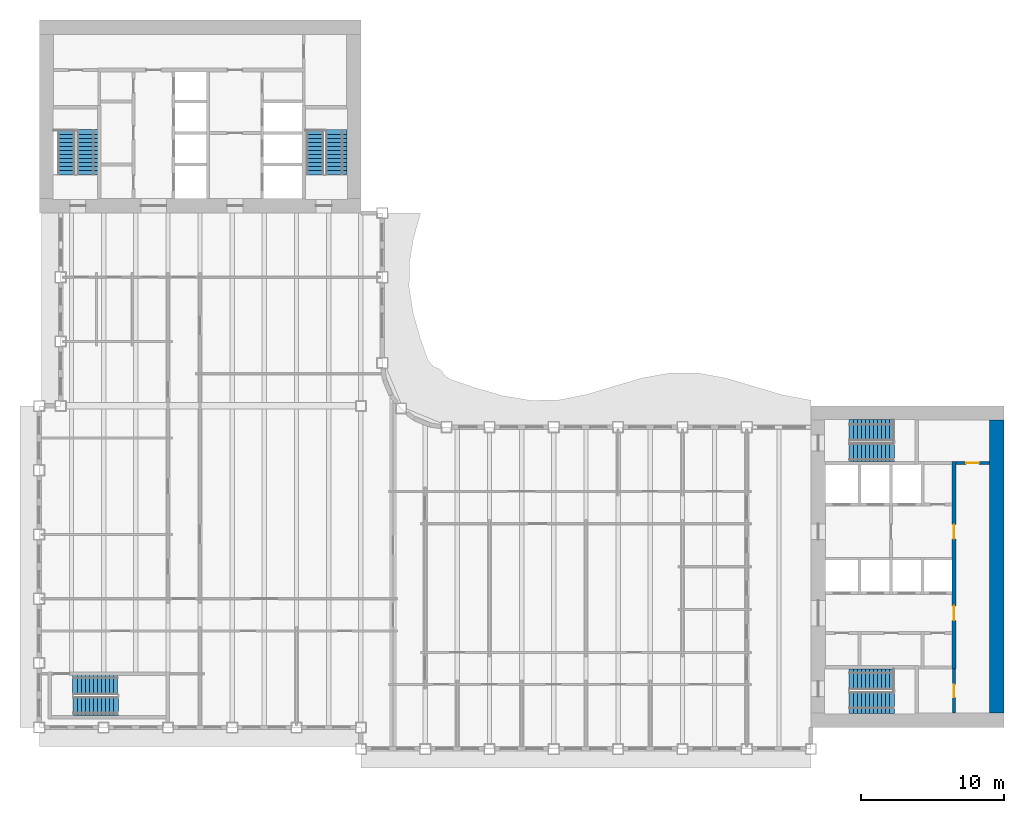
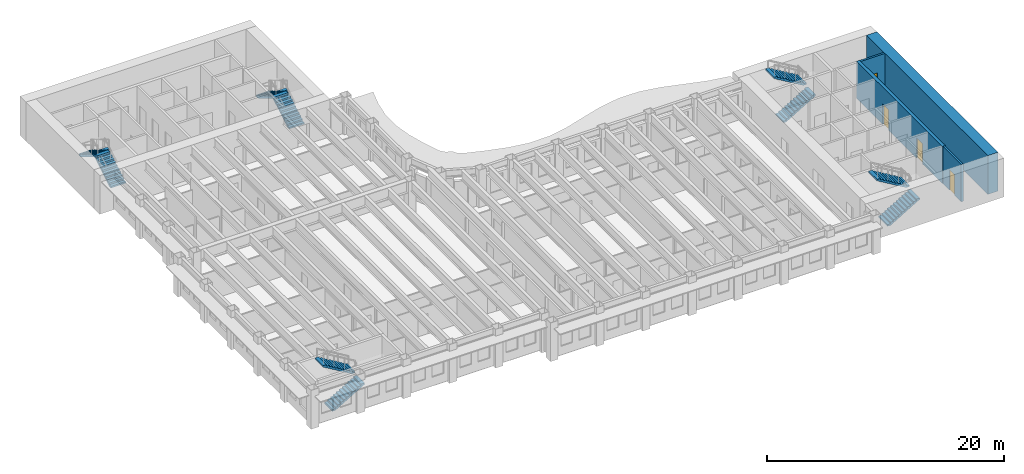
# One storey, part 11 of 17: 10 stair flights, 4 doors, 4 walls, 4 openings, 5 elements without a shape of their own.
"""IFC4 building model written with IfcOpenShell, lengths in metres."""

from ifc_helpers import new_model, si_unit, direction, frame, frame_2d, origin, place, context, subcontext, project, spatial, polyline, rectangle, outline, extrude, material, layer, layer_set, type_object, element, fill, aggregate, save


model = new_model("IFC4")

# Units and contexts
model_context = context("Model", 3, precision=1e-05, world=origin(), true_north=direction((0.0, 1.0)))
body_context = subcontext(model_context, "Body", "Model", "MODEL_VIEW")
ifc_project = project(units=[si_unit("LENGTHUNIT", "METRE"), si_unit("AREAUNIT", "SQUARE_METRE"), si_unit("VOLUMEUNIT", "CUBIC_METRE"), si_unit("PLANEANGLEUNIT", "RADIAN"), si_unit("MASSUNIT", "GRAM", prefix="KILO")], contexts=[model_context])

# Site, building, storey
site_placement = place(None, origin())
site = spatial("IfcSite", under=ifc_project, at=site_placement, CompositionType="ELEMENT")
building_placement = place(site_placement, origin())
building = spatial("IfcBuilding", under=site, at=building_placement, Name="Sennacour Bend Tower", CompositionType="ELEMENT")
storey_placement = place(building_placement, frame((0.0, 0.0, 215.0)))
storey = spatial("IfcBuildingStorey", under=building, at=storey_placement, Name="L49", CompositionType="ELEMENT", Elevation=215.0)

# Wall
ifc_material_1 = material(Name="Concrete C60/75", Category="concrete")
ifc_layer_1 = layer(ifc_material_1, 1.0, Name="Concrete C60/75", Category="concrete")
ifc_layer_set_1 = layer_set([ifc_layer_1], Name="Concrete C60/75")
wall_type_1 = type_object("IfcWallType", Name="Core wall 1000 C60/75", PredefinedType="SHEAR", material=ifc_layer_set_1)
wall_1_placement = place(storey_placement, frame((67.0, 1.0, -0.14990234375), z_axis=(0.0, 0.0, 1.0), x_axis=(0.0, 1.0, 0.0)))
element("IfcWall", 1, at=wall_1_placement, inside=storey, type_object=wall_type_1, Name="Core A wall L49 E", PredefinedType="SHEAR", context=body_context, shape_type="SweptSolid", body=[
    extrude(rectangle(XDim=20.5, YDim=1.0, at=frame_2d((10.25, 0.0))), origin(), (0.0, 0.0, 1.0), 4.0),
])

# Wall, opening, door
ifc_material_2 = material(Name="Fire-rated plasterboard partition on steel studs", Category="steel")
ifc_layer_2 = layer(ifc_material_2, 0.199951171875, Name="Fire-rated plasterboard partition on steel studs", Category="steel")
ifc_layer_set_2 = layer_set([ifc_layer_2], Name="Fire-rated plasterboard partition on steel studs")
wall_type_2 = type_object("IfcWallType", Name="Rated partition 200", PredefinedType="PARTITIONING", material=ifc_layer_set_2)
wall_2_placement = place(storey_placement, frame((64.0, 1.0, 0.0), z_axis=(0.0, 0.0, 1.0), x_axis=(0.0, 1.0, 0.0)))
wall_2 = element("IfcWall", 2, at=wall_2_placement, inside=storey, type_object=wall_type_2, Name="P-L49-W046", PredefinedType="PARTITIONING", context=body_context, shape_type="SweptSolid", body=[
    extrude(rectangle(XDim=3.10009765625, YDim=0.199951171875, at=frame_2d((1.550048828125, 0.0))), origin(), (0.0, 0.0, 1.0), 3.85009765625),
])
opening_1_placement = place(wall_2_placement, frame((1.10009765625, 0.0, 0.0)))
opening_1 = element("IfcOpeningElement", 3, at=opening_1_placement, cuts=wall_2, Name="Opening SV", PredefinedType="OPENING", context=body_context, shape_type="SweptSolid", body=[
    extrude(rectangle(XDim=0.89990234375, YDim=2.10009765625, at=frame_2d((0.449951171875, 1.050048828125))), frame((0.0, 0.10986328125, 0.0), z_axis=(0.0, -1.0, 0.0), x_axis=(1.0, 0.0, 0.0)), (0.0, 0.0, 1.0), 0.219970703125),
])
ifc_material_3 = material(Name="Painted steel", Category="steel")
door_type_1 = type_object("IfcDoorType", Name="DR-SERVICE-900", OperationType="NOTDEFINED", PredefinedType="DOOR", material=ifc_material_3)
door_1_placement = place(opening_1_placement, origin())
door_1 = element("IfcDoor", 4, at=door_1_placement, inside=storey, type_object=door_type_1, Name="Door", OperationType="SINGLE_SWING_LEFT", OverallHeight=2.10009765625, OverallWidth=0.89990234375, PredefinedType="DOOR", context=body_context, shape_type="SweptSolid", body=[
    extrude(rectangle(XDim=0.89990234375, YDim=2.10009765625, at=frame_2d((0.449951171875, 1.050048828125))), frame((0.0, 0.02490234375, 0.0), z_axis=(0.0, -1.0, 0.0), x_axis=(1.0, 0.0, 0.0)), (0.0, 0.0, 1.0), 0.050048828125),
])
fill(opening_1, door_1)

wall_3_placement = place(storey_placement, frame((64.14990234375, 18.5, 0.0), z_axis=(0.0, 0.0, 1.0), x_axis=(1.0, 0.0, 0.0)))
wall_3 = element("IfcWall", 5, at=wall_3_placement, inside=storey, type_object=wall_type_2, Name="P-L49-W071b", PredefinedType="PARTITIONING", context=body_context, shape_type="SweptSolid", body=[
    extrude(rectangle(XDim=2.35009765625, YDim=0.199951171875, at=frame_2d((1.175048828125, 0.0))), origin(), (0.0, 0.0, 1.0), 3.85009765625),
])
opening_2_placement = place(wall_3_placement, frame((0.7001953125, 0.0, 0.0)))
opening_2 = element("IfcOpeningElement", 6, at=opening_2_placement, cuts=wall_3, Name="Opening SV", PredefinedType="OPENING", context=body_context, shape_type="SweptSolid", body=[
    extrude(rectangle(XDim=0.89990234375, YDim=2.10009765625, at=frame_2d((0.449951171875, 1.050048828125))), frame((0.0, 0.10986328125, 0.0), z_axis=(0.0, -1.0, 0.0), x_axis=(1.0, 0.0, 0.0)), (0.0, 0.0, 1.0), 0.219970703125),
])
door_2_placement = place(opening_2_placement, origin())
door_2 = element("IfcDoor", 7, at=door_2_placement, inside=storey, type_object=door_type_1, Name="Door", OperationType="SINGLE_SWING_LEFT", OverallHeight=2.10009765625, OverallWidth=0.89990234375, PredefinedType="DOOR", context=body_context, shape_type="SweptSolid", body=[
    extrude(rectangle(XDim=0.89990234375, YDim=2.10009765625, at=frame_2d((0.449951171875, 1.050048828125))), frame((0.0, 0.02490234375, 0.0), z_axis=(0.0, -1.0, 0.0), x_axis=(1.0, 0.0, 0.0)), (0.0, 0.0, 1.0), 0.050048828125),
])
fill(opening_2, door_2)

# Wall, openings, doors
ifc_layer_3 = layer(ifc_material_1, 0.300048828125, Name="Concrete C60/75", Category="concrete")
ifc_layer_set_3 = layer_set([ifc_layer_3], Name="Concrete C60/75")
wall_type_3 = type_object("IfcWallType", Name="Spine wall 300", PredefinedType="SHEAR", material=ifc_layer_set_3)
wall_4_placement = place(storey_placement, frame((64.0, 4.10009765625, 0.0), z_axis=(0.0, 0.0, 1.0), x_axis=(0.0, 1.0, 0.0)))
wall_4 = element("IfcWall", 8, at=wall_4_placement, inside=storey, type_object=wall_type_3, Name="P-L49-W047", PredefinedType="SHEAR", context=body_context, shape_type="SweptSolid", body=[
    extrude(rectangle(XDim=14.5, YDim=0.300048828125, at=frame_2d((7.25, 0.0))), origin(), (0.0, 0.0, 1.0), 3.85009765625),
])
opening_3_placement = place(wall_4_placement, frame((3.39990234375, 0.0, 0.0)))
opening_3 = element("IfcOpeningElement", 9, at=opening_3_placement, cuts=wall_4, Name="Opening CD2", PredefinedType="OPENING", context=body_context, shape_type="SweptSolid", body=[
    extrude(rectangle(XDim=1.0, YDim=2.10009765625, at=frame_2d((0.5, 1.050048828125))), frame((0.0, 0.16015625, 0.0), z_axis=(0.0, -1.0, 0.0), x_axis=(1.0, 0.0, 0.0)), (0.0, 0.0, 1.0), 0.320068359375),
])
opening_4_placement = place(wall_4_placement, frame((9.099853515625, 0.0, 0.0)))
opening_4 = element("IfcOpeningElement", 10, at=opening_4_placement, cuts=wall_4, Name="Opening CD2", PredefinedType="OPENING", context=body_context, shape_type="SweptSolid", body=[
    extrude(rectangle(XDim=1.0, YDim=2.10009765625, at=frame_2d((0.5, 1.050048828125))), frame((0.0, 0.16015625, 0.0), z_axis=(0.0, -1.0, 0.0), x_axis=(1.0, 0.0, 0.0)), (0.0, 0.0, 1.0), 0.320068359375),
])
door_type_2 = type_object("IfcDoorType", Name="DR-LOBBY-1000", OperationType="NOTDEFINED", PredefinedType="DOOR", material=ifc_material_3)
door_3_placement = place(opening_3_placement, origin())
door_3 = element("IfcDoor", 11, at=door_3_placement, inside=storey, type_object=door_type_2, Name="Door", OperationType="SINGLE_SWING_LEFT", OverallHeight=2.10009765625, OverallWidth=1.0, PredefinedType="DOOR", context=body_context, shape_type="SweptSolid", body=[
    extrude(rectangle(XDim=1.0, YDim=2.10009765625, at=frame_2d((0.5, 1.050048828125))), frame((0.0, 0.02490234375, 0.0), z_axis=(0.0, -1.0, 0.0), x_axis=(1.0, 0.0, 0.0)), (0.0, 0.0, 1.0), 0.050048828125),
])
fill(opening_3, door_3)
door_4_placement = place(opening_4_placement, origin())
door_4 = element("IfcDoor", 12, at=door_4_placement, inside=storey, type_object=door_type_2, Name="Door", OperationType="SINGLE_SWING_RIGHT", OverallHeight=2.10009765625, OverallWidth=1.0, PredefinedType="DOOR", context=body_context, shape_type="SweptSolid", body=[
    extrude(rectangle(XDim=1.0, YDim=2.10009765625, at=frame_2d((0.5, 1.050048828125))), frame((0.0, 0.02490234375, 0.0), z_axis=(0.0, -1.0, 0.0), x_axis=(1.0, 0.0, 0.0)), (0.0, 0.0, 1.0), 0.050048828125),
])
fill(opening_4, door_4)

# Stair, stair flights
ifc_material_4 = material(Name="Concrete C40/50", Category="concrete")
stair_type = type_object("IfcStairType", Name="ST-DOGLEG", PredefinedType="HALF_TURN_STAIR", material=ifc_material_4)
stair_1_placement = place(storey_placement, origin())
stair_1 = element("IfcStair", 13, at=stair_1_placement, inside=storey, type_object=stair_type, Name="L49 Exit stair A1", PredefinedType="HALF_TURN_STAIR")
stair_flight_type = type_object("IfcStairFlightType", Name="SFL-RC", PredefinedType="STRAIGHT", material=ifc_material_4)
stair_flight_1_placement = place(storey_placement, frame((56.699951171875, 1.735107421875, 0.0), z_axis=(0.0, 0.0, 1.0), x_axis=(1.0, 0.0, 0.0)))
stair_flight_1 = element("IfcStairFlight", 14, at=stair_flight_1_placement, type_object=stair_flight_type, Name="SA1 flight 1", NumberOfRisers=12, NumberOfTreads=11, PredefinedType="STRAIGHT", RiserHeight=0.166666667, TreadLength=0.28, context=body_context, shape_type="SweptSolid", body=[
    extrude(outline(polyline([(0.0, 0.0), (0.0, 0.166748046875), (0.280029296875, 0.166748046875), (0.280029296875, 0.333251953125), (0.56005859375, 0.333251953125), (0.56005859375, 0.5), (0.840087890625, 0.5), (0.840087890625, 0.666748046875), (1.1201171875, 0.666748046875), (1.1201171875, 0.833251953125), (1.39990234375, 0.833251953125), (1.39990234375, 1.0), (1.679931640625, 1.0), (1.679931640625, 1.166748046875), (1.9599609375, 1.166748046875), (1.9599609375, 1.333251953125), (2.239990234375, 1.333251953125), (2.239990234375, 1.5), (2.52001953125, 1.5), (2.52001953125, 1.666748046875), (2.800048828125, 1.666748046875), (2.800048828125, 1.833251953125), (3.080078125, 1.833251953125), (3.139892578125, 1.833251953125), (3.139892578125, 1.658935546875), (3.080078125, 1.658935546875), (0.29296875, 0.0), (0.0, 0.0)])), frame((0.0, 0.76513671875, 0.0), z_axis=(0.0, -1.0, 0.0), x_axis=(1.0, 0.0, 0.0)), (0.0, 0.0, 1.0), 1.530029296875),
])
stair_flight_2_placement = place(storey_placement, frame((59.780029296875, 3.37744140625, 2.0), z_axis=(0.0, 0.0, 1.0), x_axis=(-1.0, 0.0, 0.0)))
stair_flight_2 = element("IfcStairFlight", 15, at=stair_flight_2_placement, type_object=stair_flight_type, Name="SA1 flight 2", NumberOfRisers=12, NumberOfTreads=11, PredefinedType="STRAIGHT", RiserHeight=0.166666667, TreadLength=0.28, context=body_context, shape_type="SweptSolid", body=[
    extrude(outline(polyline([(0.0, 0.0), (0.0, 0.166748046875), (0.280029296875, 0.166748046875), (0.280029296875, 0.333251953125), (0.56005859375, 0.333251953125), (0.56005859375, 0.5), (0.840087890625, 0.5), (0.840087890625, 0.666748046875), (1.1201171875, 0.666748046875), (1.1201171875, 0.833251953125), (1.39990234375, 0.833251953125), (1.39990234375, 1.0), (1.679931640625, 1.0), (1.679931640625, 1.166748046875), (1.9599609375, 1.166748046875), (1.9599609375, 1.333251953125), (2.239990234375, 1.333251953125), (2.239990234375, 1.5), (2.52001953125, 1.5), (2.52001953125, 1.666748046875), (2.800048828125, 1.666748046875), (2.800048828125, 1.833251953125), (3.080078125, 1.833251953125), (3.139892578125, 1.833251953125), (3.139892578125, 1.658935546875), (3.080078125, 1.658935546875), (0.29296875, 0.0), (0.0, 0.0)])), frame((0.0, 0.7275390625, 0.0), z_axis=(0.0, -1.0, 0.0), x_axis=(1.0, 0.0, 0.0)), (0.0, 0.0, 1.0), 1.455078125),
])
aggregate(stair_1, [stair_flight_1, stair_flight_2])

stair_2_placement = place(storey_placement, origin())
stair_2 = element("IfcStair", 16, at=stair_2_placement, inside=storey, type_object=stair_type, Name="L49 Exit stair A2", PredefinedType="HALF_TURN_STAIR")
stair_flight_3_placement = place(storey_placement, frame((56.699951171875, 19.24755859375, 0.0), z_axis=(0.0, 0.0, 1.0), x_axis=(1.0, 0.0, 0.0)))
stair_flight_3 = element("IfcStairFlight", 17, at=stair_flight_3_placement, type_object=stair_flight_type, Name="SA2 flight 1", NumberOfRisers=12, NumberOfTreads=11, PredefinedType="STRAIGHT", RiserHeight=0.166666667, TreadLength=0.28, context=body_context, shape_type="SweptSolid", body=[
    extrude(outline(polyline([(0.0, 0.0), (0.0, 0.166748046875), (0.280029296875, 0.166748046875), (0.280029296875, 0.333251953125), (0.56005859375, 0.333251953125), (0.56005859375, 0.5), (0.840087890625, 0.5), (0.840087890625, 0.666748046875), (1.1201171875, 0.666748046875), (1.1201171875, 0.833251953125), (1.39990234375, 0.833251953125), (1.39990234375, 1.0), (1.679931640625, 1.0), (1.679931640625, 1.166748046875), (1.9599609375, 1.166748046875), (1.9599609375, 1.333251953125), (2.239990234375, 1.333251953125), (2.239990234375, 1.5), (2.52001953125, 1.5), (2.52001953125, 1.666748046875), (2.800048828125, 1.666748046875), (2.800048828125, 1.833251953125), (3.080078125, 1.833251953125), (3.139892578125, 1.833251953125), (3.139892578125, 1.658935546875), (3.080078125, 1.658935546875), (0.29296875, 0.0), (0.0, 0.0)])), frame((0.0, 0.65234375, 0.0), z_axis=(0.0, -1.0, 0.0), x_axis=(1.0, 0.0, 0.0)), (0.0, 0.0, 1.0), 1.304931640625),
])
stair_flight_4_placement = place(storey_placement, frame((59.780029296875, 20.7900390625, 2.0), z_axis=(0.0, 0.0, 1.0), x_axis=(-1.0, 0.0, 0.0)))
stair_flight_4 = element("IfcStairFlight", 18, at=stair_flight_4_placement, type_object=stair_flight_type, Name="SA2 flight 2", NumberOfRisers=12, NumberOfTreads=11, PredefinedType="STRAIGHT", RiserHeight=0.166666667, TreadLength=0.28, context=body_context, shape_type="SweptSolid", body=[
    extrude(outline(polyline([(0.0, 0.0), (0.0, 0.166748046875), (0.280029296875, 0.166748046875), (0.280029296875, 0.333251953125), (0.56005859375, 0.333251953125), (0.56005859375, 0.5), (0.840087890625, 0.5), (0.840087890625, 0.666748046875), (1.1201171875, 0.666748046875), (1.1201171875, 0.833251953125), (1.39990234375, 0.833251953125), (1.39990234375, 1.0), (1.679931640625, 1.0), (1.679931640625, 1.166748046875), (1.9599609375, 1.166748046875), (1.9599609375, 1.333251953125), (2.239990234375, 1.333251953125), (2.239990234375, 1.5), (2.52001953125, 1.5), (2.52001953125, 1.666748046875), (2.800048828125, 1.666748046875), (2.800048828125, 1.833251953125), (3.080078125, 1.833251953125), (3.139892578125, 1.833251953125), (3.139892578125, 1.658935546875), (3.080078125, 1.658935546875), (0.29296875, 0.0), (0.0, 0.0)])), frame((0.0, 0.739990234375, 0.0), z_axis=(0.0, -1.0, 0.0), x_axis=(1.0, 0.0, 0.0)), (0.0, 0.0, 1.0), 1.47998046875),
])
aggregate(stair_2, [stair_flight_3, stair_flight_4])

stair_3_placement = place(storey_placement, origin())
stair_3 = element("IfcStair", 19, at=stair_3_placement, inside=storey, type_object=stair_type, Name="L49 Exit stair B1", PredefinedType="HALF_TURN_STAIR")
stair_flight_5_placement = place(storey_placement, frame((3.37744140625, 38.699951171875, 0.0), z_axis=(0.0, 0.0, 1.0), x_axis=(0.0, 1.0, 0.0)))
stair_flight_5 = element("IfcStairFlight", 20, at=stair_flight_5_placement, type_object=stair_flight_type, Name="SB1 flight 1", NumberOfRisers=12, NumberOfTreads=11, PredefinedType="STRAIGHT", RiserHeight=0.166666667, TreadLength=0.28, context=body_context, shape_type="SweptSolid", body=[
    extrude(outline(polyline([(0.0, 0.0), (0.0, 0.166748046875), (0.280029296875, 0.166748046875), (0.280029296875, 0.333251953125), (0.56005859375, 0.333251953125), (0.56005859375, 0.5), (0.840087890625, 0.5), (0.840087890625, 0.666748046875), (1.1201171875, 0.666748046875), (1.1201171875, 0.833251953125), (1.39990234375, 0.833251953125), (1.39990234375, 1.0), (1.679931640625, 1.0), (1.679931640625, 1.166748046875), (1.9599609375, 1.166748046875), (1.9599609375, 1.333251953125), (2.239990234375, 1.333251953125), (2.239990234375, 1.5), (2.52001953125, 1.5), (2.52001953125, 1.666748046875), (2.800048828125, 1.666748046875), (2.800048828125, 1.833251953125), (3.080078125, 1.833251953125), (3.139892578125, 1.833251953125), (3.139892578125, 1.658935546875), (3.080078125, 1.658935546875), (0.29296875, 0.0), (0.0, 0.0)])), frame((0.0, 0.7275390625, 0.0), z_axis=(0.0, -1.0, 0.0), x_axis=(1.0, 0.0, 0.0)), (0.0, 0.0, 1.0), 1.455078125),
])
stair_flight_6_placement = place(storey_placement, frame((1.89990234375, 41.780029296875, 2.0), z_axis=(0.0, 0.0, 1.0), x_axis=(0.0, -1.0, 0.0)))
stair_flight_6 = element("IfcStairFlight", 21, at=stair_flight_6_placement, type_object=stair_flight_type, Name="SB1 flight 2", NumberOfRisers=12, NumberOfTreads=11, PredefinedType="STRAIGHT", RiserHeight=0.166666667, TreadLength=0.28, context=body_context, shape_type="SweptSolid", body=[
    extrude(outline(polyline([(0.0, 0.0), (0.0, 0.166748046875), (0.280029296875, 0.166748046875), (0.280029296875, 0.333251953125), (0.56005859375, 0.333251953125), (0.56005859375, 0.5), (0.840087890625, 0.5), (0.840087890625, 0.666748046875), (1.1201171875, 0.666748046875), (1.1201171875, 0.833251953125), (1.39990234375, 0.833251953125), (1.39990234375, 1.0), (1.679931640625, 1.0), (1.679931640625, 1.166748046875), (1.9599609375, 1.166748046875), (1.9599609375, 1.333251953125), (2.239990234375, 1.333251953125), (2.239990234375, 1.5), (2.52001953125, 1.5), (2.52001953125, 1.666748046875), (2.800048828125, 1.666748046875), (2.800048828125, 1.833251953125), (3.080078125, 1.833251953125), (3.139892578125, 1.833251953125), (3.139892578125, 1.658935546875), (3.080078125, 1.658935546875), (0.29296875, 0.0), (0.0, 0.0)])), frame((0.0, 0.60009765625, 0.0), z_axis=(0.0, -1.0, 0.0), x_axis=(1.0, 0.0, 0.0)), (0.0, 0.0, 1.0), 1.199951171875),
])
aggregate(stair_3, [stair_flight_5, stair_flight_6])

stair_4_placement = place(storey_placement, origin())
stair_4 = element("IfcStair", 22, at=stair_4_placement, inside=storey, type_object=stair_type, Name="L49 Exit stair B2", PredefinedType="HALF_TURN_STAIR")
stair_flight_7_placement = place(storey_placement, frame((20.7900390625, 38.699951171875, 0.0), z_axis=(0.0, 0.0, 1.0), x_axis=(0.0, 1.0, 0.0)))
stair_flight_7 = element("IfcStairFlight", 23, at=stair_flight_7_placement, type_object=stair_flight_type, Name="SB2 flight 1", NumberOfRisers=12, NumberOfTreads=11, PredefinedType="STRAIGHT", RiserHeight=0.166666667, TreadLength=0.28, context=body_context, shape_type="SweptSolid", body=[
    extrude(outline(polyline([(0.0, 0.0), (0.0, 0.166748046875), (0.280029296875, 0.166748046875), (0.280029296875, 0.333251953125), (0.56005859375, 0.333251953125), (0.56005859375, 0.5), (0.840087890625, 0.5), (0.840087890625, 0.666748046875), (1.1201171875, 0.666748046875), (1.1201171875, 0.833251953125), (1.39990234375, 0.833251953125), (1.39990234375, 1.0), (1.679931640625, 1.0), (1.679931640625, 1.166748046875), (1.9599609375, 1.166748046875), (1.9599609375, 1.333251953125), (2.239990234375, 1.333251953125), (2.239990234375, 1.5), (2.52001953125, 1.5), (2.52001953125, 1.666748046875), (2.800048828125, 1.666748046875), (2.800048828125, 1.833251953125), (3.080078125, 1.833251953125), (3.139892578125, 1.833251953125), (3.139892578125, 1.658935546875), (3.080078125, 1.658935546875), (0.29296875, 0.0), (0.0, 0.0)])), frame((0.0, 0.739990234375, 0.0), z_axis=(0.0, -1.0, 0.0), x_axis=(1.0, 0.0, 0.0)), (0.0, 0.0, 1.0), 1.47998046875),
])
stair_flight_8_placement = place(storey_placement, frame((19.24755859375, 41.780029296875, 2.0), z_axis=(0.0, 0.0, 1.0), x_axis=(0.0, -1.0, 0.0)))
stair_flight_8 = element("IfcStairFlight", 24, at=stair_flight_8_placement, type_object=stair_flight_type, Name="SB2 flight 2", NumberOfRisers=12, NumberOfTreads=11, PredefinedType="STRAIGHT", RiserHeight=0.166666667, TreadLength=0.28, context=body_context, shape_type="SweptSolid", body=[
    extrude(outline(polyline([(0.0, 0.0), (0.0, 0.166748046875), (0.280029296875, 0.166748046875), (0.280029296875, 0.333251953125), (0.56005859375, 0.333251953125), (0.56005859375, 0.5), (0.840087890625, 0.5), (0.840087890625, 0.666748046875), (1.1201171875, 0.666748046875), (1.1201171875, 0.833251953125), (1.39990234375, 0.833251953125), (1.39990234375, 1.0), (1.679931640625, 1.0), (1.679931640625, 1.166748046875), (1.9599609375, 1.166748046875), (1.9599609375, 1.333251953125), (2.239990234375, 1.333251953125), (2.239990234375, 1.5), (2.52001953125, 1.5), (2.52001953125, 1.666748046875), (2.800048828125, 1.666748046875), (2.800048828125, 1.833251953125), (3.080078125, 1.833251953125), (3.139892578125, 1.833251953125), (3.139892578125, 1.658935546875), (3.080078125, 1.658935546875), (0.29296875, 0.0), (0.0, 0.0)])), frame((0.0, 0.65234375, 0.0), z_axis=(0.0, -1.0, 0.0), x_axis=(1.0, 0.0, 0.0)), (0.0, 0.0, 1.0), 1.304931640625),
])
aggregate(stair_4, [stair_flight_7, stair_flight_8])

stair_5_placement = place(storey_placement, origin())
stair_5 = element("IfcStair", 25, at=stair_5_placement, inside=storey, type_object=stair_type, Name="L49 Exit stair K1", PredefinedType="HALF_TURN_STAIR")
stair_flight_9_placement = place(storey_placement, frame((2.39990234375, 1.485107421875, 0.0), z_axis=(0.0, 0.0, 1.0), x_axis=(1.0, 0.0, 0.0)))
stair_flight_9 = element("IfcStairFlight", 26, at=stair_flight_9_placement, type_object=stair_flight_type, Name="SK1 flight 1", NumberOfRisers=12, NumberOfTreads=11, PredefinedType="STRAIGHT", RiserHeight=0.166666667, TreadLength=0.28, context=body_context, shape_type="SweptSolid", body=[
    extrude(outline(polyline([(0.0, 0.0), (0.0, 0.166748046875), (0.280029296875, 0.166748046875), (0.280029296875, 0.333251953125), (0.56005859375, 0.333251953125), (0.56005859375, 0.5), (0.840087890625, 0.5), (0.840087890625, 0.666748046875), (1.1201171875, 0.666748046875), (1.1201171875, 0.833251953125), (1.39990234375, 0.833251953125), (1.39990234375, 1.0), (1.679931640625, 1.0), (1.679931640625, 1.166748046875), (1.9599609375, 1.166748046875), (1.9599609375, 1.333251953125), (2.239990234375, 1.333251953125), (2.239990234375, 1.5), (2.52001953125, 1.5), (2.52001953125, 1.666748046875), (2.800048828125, 1.666748046875), (2.800048828125, 1.833251953125), (3.080078125, 1.833251953125), (3.139892578125, 1.833251953125), (3.139892578125, 1.658935546875), (3.080078125, 1.658935546875), (0.29296875, 0.0), (0.0, 0.0)])), frame((0.0, 0.6650390625, 0.0), z_axis=(0.0, -1.0, 0.0), x_axis=(1.0, 0.0, 0.0)), (0.0, 0.0, 1.0), 1.330078125),
])
stair_flight_10_placement = place(storey_placement, frame((5.47998046875, 2.9775390625, 2.0), z_axis=(0.0, 0.0, 1.0), x_axis=(-1.0, 0.0, 0.0)))
stair_flight_10 = element("IfcStairFlight", 27, at=stair_flight_10_placement, type_object=stair_flight_type, Name="SK1 flight 2", NumberOfRisers=12, NumberOfTreads=11, PredefinedType="STRAIGHT", RiserHeight=0.166666667, TreadLength=0.28, context=body_context, shape_type="SweptSolid", body=[
    extrude(outline(polyline([(0.0, 0.0), (0.0, 0.166748046875), (0.280029296875, 0.166748046875), (0.280029296875, 0.333251953125), (0.56005859375, 0.333251953125), (0.56005859375, 0.5), (0.840087890625, 0.5), (0.840087890625, 0.666748046875), (1.1201171875, 0.666748046875), (1.1201171875, 0.833251953125), (1.39990234375, 0.833251953125), (1.39990234375, 1.0), (1.679931640625, 1.0), (1.679931640625, 1.166748046875), (1.9599609375, 1.166748046875), (1.9599609375, 1.333251953125), (2.239990234375, 1.333251953125), (2.239990234375, 1.5), (2.52001953125, 1.5), (2.52001953125, 1.666748046875), (2.800048828125, 1.666748046875), (2.800048828125, 1.833251953125), (3.080078125, 1.833251953125), (3.139892578125, 1.833251953125), (3.139892578125, 1.658935546875), (3.080078125, 1.658935546875), (0.29296875, 0.0), (0.0, 0.0)])), frame((0.0, 0.677490234375, 0.0), z_axis=(0.0, -1.0, 0.0), x_axis=(1.0, 0.0, 0.0)), (0.0, 0.0, 1.0), 1.35498046875),
])
aggregate(stair_5, [stair_flight_9, stair_flight_10])

save(model, "model.ifc")
